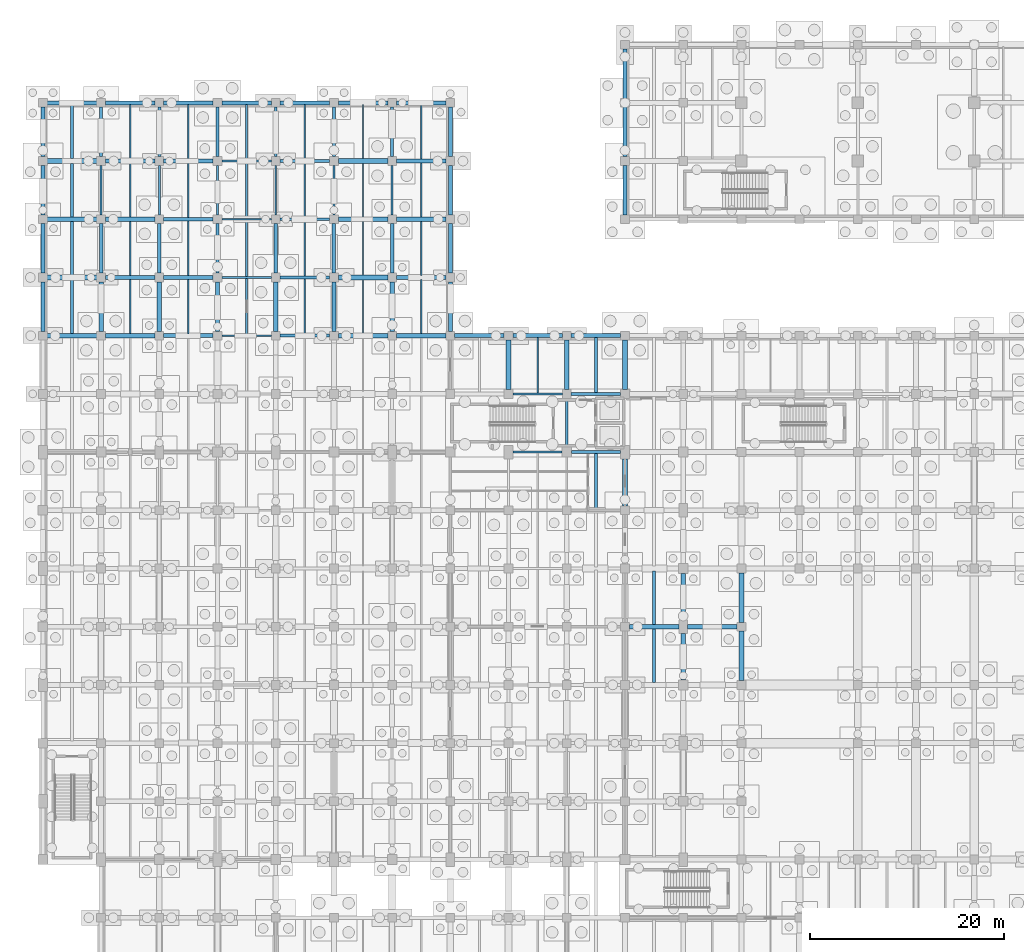
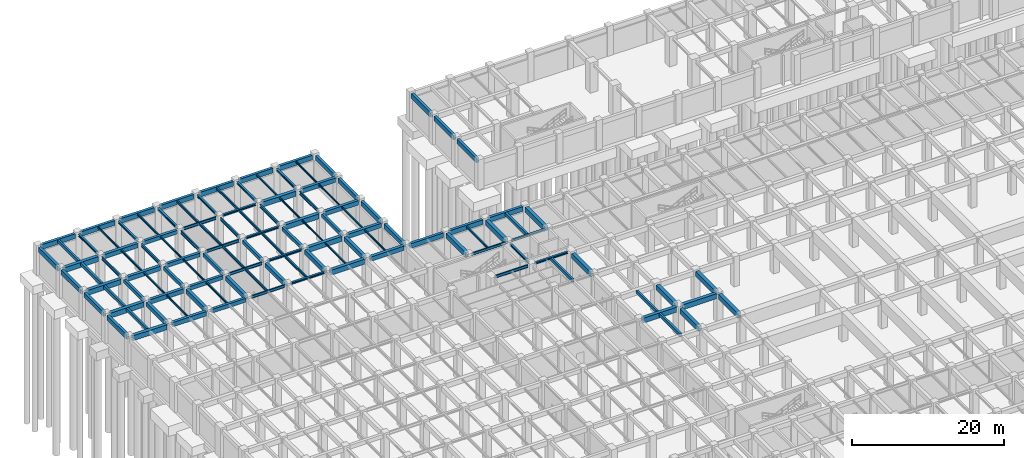
# One storey, part 31 of 54: 121 beams.
"""IFC4 building model written with IfcOpenShell, lengths in metres."""

from ifc_helpers import new_model, si_unit, direction, frame, origin, origin_2d, place, context, subcontext, project, spatial, rectangle, i_section, extrude, material, material_profile, profile_set, type_object, element, save


model = new_model("IFC4")

# Units and contexts
model_context = context("Model", 3, precision=1e-05, world=origin(), true_north=direction((0.0, 1.0)))
body_context = subcontext(model_context, "Body", "Model", "MODEL_VIEW")
ifc_project = project(units=[si_unit("LENGTHUNIT", "METRE"), si_unit("AREAUNIT", "SQUARE_METRE"), si_unit("VOLUMEUNIT", "CUBIC_METRE"), si_unit("PLANEANGLEUNIT", "RADIAN"), si_unit("MASSUNIT", "GRAM", prefix="KILO"), si_unit("THERMODYNAMICTEMPERATUREUNIT", "KELVIN"), si_unit("POWERUNIT", "WATT")], contexts=[model_context])

# Site, building, storey
site_placement = place(None, origin())
site = spatial("IfcSite", under=ifc_project, at=site_placement, CompositionType="ELEMENT")
building_placement = place(site_placement, origin())
building = spatial("IfcBuilding", under=site, at=building_placement, Name="Phaisarnlok Congress Hotel", CompositionType="ELEMENT")
storey_placement = place(building_placement, frame((0.0, 0.0, -4.800048828125)))
storey = spatial("IfcBuildingStorey", under=building, at=storey_placement, Name="B01", CompositionType="ELEMENT", Elevation=-4.800048828125)

# Beams
ifc_material_1 = material(Name="Concrete C40/50", Category="concrete")
ifc_material_profile_1 = material_profile(ifc_material_1, rectangle(XDim=0.35009765625, YDim=0.550048828125, at=origin_2d()), Name="RC 350x550")
ifc_profile_set_1 = profile_set([ifc_material_profile_1], Name="Concrete C40/50")
beam_type_1 = type_object("IfcBeamType", Name="BM-RC-350x550", PredefinedType="BEAM", material=ifc_profile_set_1)
for number, where, z_axis, x_axis, name in (
    (1, (6.0, 102.445068359375, 4.22509765625), (0.0, 1.0, 0.0), (-1.0, 0.0, 0.0), "Beam B-01"),
    (2, (12.0, 102.445068359375, 4.22509765625), (0.0, 1.0, 0.0), (-1.0, 0.0, 0.0), "Beam B-01"),
    (3, (18.0, 102.445068359375, 4.22509765625), (0.0, 1.0, 0.0), (-1.0, 0.0, 0.0), "Beam B-01"),
    (4, (24.0, 102.445068359375, 4.22509765625), (0.0, 1.0, 0.0), (-1.0, 0.0, 0.0), "Beam B-01"),
    (5, (30.0, 102.445068359375, 4.22509765625), (0.0, 1.0, 0.0), (-1.0, 0.0, 0.0), "Beam B-01"),
    (6, (36.0, 102.445068359375, 4.22509765625), (0.0, 1.0, 0.0), (-1.0, 0.0, 0.0), "Beam B-01"),
):
    element("IfcBeam", number, at=place(storey_placement, frame(where, z_axis=z_axis, x_axis=x_axis)), inside=storey, type_object=beam_type_1, Name=name, PredefinedType="BEAM", context=body_context, shape_type="SweptSolid", body=[
        extrude(rectangle(XDim=0.35009765625, YDim=0.550048828125, at=origin_2d()), origin(), (0.0, 0.0, 1.0), 5.10986328125),
    ])
ifc_material_profile_2 = material_profile(ifc_material_1, rectangle(XDim=0.39990234375, YDim=0.60009765625, at=origin_2d()), Name="RC 400x600")
ifc_profile_set_2 = profile_set([ifc_material_profile_2], Name="Concrete C40/50")
beam_type_2 = type_object("IfcBeamType", Name="BM-RC-400x600", PredefinedType="BEAM", material=ifc_profile_set_2)
for number, where, z_axis, x_axis, name in (
    (7, (12.445068359375, 96.0, 4.199951171875), (1.0, 0.0, 0.0), (0.0, 1.0, 0.0), "Beam B-02"),
    (8, (12.445068359375, 102.0, 4.199951171875), (1.0, 0.0, 0.0), (0.0, 1.0, 0.0), "Beam B-02"),
    (9, (12.445068359375, 108.0, 4.199951171875), (1.0, 0.0, 0.0), (0.0, 1.0, 0.0), "Beam B-02"),
    (10, (12.445068359375, 114.0, 4.199951171875), (1.0, 0.0, 0.0), (0.0, 1.0, 0.0), "Beam B-02"),
):
    element("IfcBeam", number, at=place(storey_placement, frame(where, z_axis=z_axis, x_axis=x_axis)), inside=storey, type_object=beam_type_2, Name=name, PredefinedType="BEAM", context=body_context, shape_type="SweptSolid", body=[
        extrude(rectangle(XDim=0.39990234375, YDim=0.60009765625, at=origin_2d()), origin(), (0.0, 0.0, 1.0), 5.10986328125),
    ])
ifc_material_profile_3 = material_profile(ifc_material_1, rectangle(XDim=0.449951171875, YDim=0.699951171875, at=origin_2d()), Name="RC 450x700")
ifc_profile_set_3 = profile_set([ifc_material_profile_3], Name="Concrete C40/50")
beam_type_3 = type_object("IfcBeamType", Name="BM-RC-450x700", PredefinedType="BEAM", material=ifc_profile_set_3)
for number, where, z_axis, x_axis, name in (
    (11, (6.445068359375, 96.0, 4.150146484375), (1.0, 0.0, 0.0), (0.0, 1.0, 0.0), "Beam B-03"),
    (12, (6.0, 96.445068359375, 4.150146484375), (0.0, 1.0, 0.0), (-1.0, 0.0, 0.0), "Beam B-03"),
    (13, (6.445068359375, 102.0, 4.150146484375), (1.0, 0.0, 0.0), (0.0, 1.0, 0.0), "Beam B-03"),
    (14, (6.445068359375, 108.0, 4.150146484375), (1.0, 0.0, 0.0), (0.0, 1.0, 0.0), "Beam B-03"),
    (15, (6.445068359375, 114.0, 4.150146484375), (1.0, 0.0, 0.0), (0.0, 1.0, 0.0), "Beam B-03"),
    (16, (12.0, 96.445068359375, 4.150146484375), (0.0, 1.0, 0.0), (-1.0, 0.0, 0.0), "Beam B-03"),
    (17, (18.0, 96.445068359375, 4.150146484375), (0.0, 1.0, 0.0), (-1.0, 0.0, 0.0), "Beam B-03"),
    (18, (24.0, 96.445068359375, 4.150146484375), (0.0, 1.0, 0.0), (-1.0, 0.0, 0.0), "Beam B-03"),
    (19, (30.0, 96.445068359375, 4.150146484375), (0.0, 1.0, 0.0), (-1.0, 0.0, 0.0), "Beam B-03"),
    (20, (36.445068359375, 96.0, 4.150146484375), (1.0, 0.0, 0.0), (0.0, 1.0, 0.0), "Beam B-03"),
    (21, (36.0, 96.445068359375, 4.150146484375), (0.0, 1.0, 0.0), (-1.0, 0.0, 0.0), "Beam B-03"),
    (22, (36.445068359375, 102.0, 4.150146484375), (1.0, 0.0, 0.0), (0.0, 1.0, 0.0), "Beam B-03"),
    (23, (36.445068359375, 108.0, 4.150146484375), (1.0, 0.0, 0.0), (0.0, 1.0, 0.0), "Beam B-03"),
    (24, (36.445068359375, 114.0, 4.150146484375), (1.0, 0.0, 0.0), (0.0, 1.0, 0.0), "Beam B-03"),
):
    element("IfcBeam", number, at=place(storey_placement, frame(where, z_axis=z_axis, x_axis=x_axis)), inside=storey, type_object=beam_type_3, Name=name, PredefinedType="BEAM", context=body_context, shape_type="SweptSolid", body=[
        extrude(rectangle(XDim=0.449951171875, YDim=0.699951171875, at=origin_2d()), origin(), (0.0, 0.0, 1.0), 5.10986328125),
    ])
ifc_material_profile_4 = material_profile(ifc_material_1, rectangle(XDim=0.5, YDim=0.800048828125, at=origin_2d()), Name="RC 500x800")
ifc_profile_set_4 = profile_set([ifc_material_profile_4], Name="Concrete C40/50")
beam_type_4 = type_object("IfcBeamType", Name="BM-RC-500x800", PredefinedType="BEAM", material=ifc_profile_set_4)
for number, where, z_axis, x_axis, name in (
    (25, (0.445068359375, 96.0, 4.10009765625), (1.0, 0.0, 0.0), (0.0, 1.0, 0.0), "Beam B-04"),
    (26, (0.445068359375, 102.0, 4.10009765625), (1.0, 0.0, 0.0), (0.0, 1.0, 0.0), "Beam B-04"),
    (27, (0.445068359375, 108.0, 4.10009765625), (1.0, 0.0, 0.0), (0.0, 1.0, 0.0), "Beam B-04"),
    (28, (0.445068359375, 114.0, 4.10009765625), (1.0, 0.0, 0.0), (0.0, 1.0, 0.0), "Beam B-04"),
    (29, (30.445068359375, 96.0, 4.10009765625), (1.0, 0.0, 0.0), (0.0, 1.0, 0.0), "Beam B-04"),
    (30, (30.445068359375, 102.0, 4.10009765625), (1.0, 0.0, 0.0), (0.0, 1.0, 0.0), "Beam B-04"),
    (31, (30.445068359375, 108.0, 4.10009765625), (1.0, 0.0, 0.0), (0.0, 1.0, 0.0), "Beam B-04"),
    (32, (30.445068359375, 114.0, 4.10009765625), (1.0, 0.0, 0.0), (0.0, 1.0, 0.0), "Beam B-04"),
    (33, (48.0, 90.445068359375, 4.10009765625), (0.0, 1.0, 0.0), (-1.0, 0.0, 0.0), "Beam B-04"),
    (34, (54.0, 90.445068359375, 4.10009765625), (0.0, 1.0, 0.0), (-1.0, 0.0, 0.0), "Beam B-04"),
    (35, (60.445068359375, 66.0, 4.10009765625), (1.0, 0.0, 0.0), (0.0, 1.0, 0.0), "Beam B-04"),
):
    element("IfcBeam", number, at=place(storey_placement, frame(where, z_axis=z_axis, x_axis=x_axis)), inside=storey, type_object=beam_type_4, Name=name, PredefinedType="BEAM", context=body_context, shape_type="SweptSolid", body=[
        extrude(rectangle(XDim=0.5, YDim=0.800048828125, at=origin_2d()), origin(), (0.0, 0.0, 1.0), 5.10986328125),
    ])
beam_1_placement = place(storey_placement, frame((60.0, 78.445068359375, 4.10009765625), z_axis=(0.0, 1.0, 0.0), x_axis=(-1.0, 0.0, 0.0)))
element("IfcBeam", 36, at=beam_1_placement, inside=storey, type_object=beam_type_4, Name="Beam B-04", PredefinedType="BEAM", context=body_context, shape_type="SweptSolid", body=[
    extrude(rectangle(XDim=0.5, YDim=0.800048828125, at=origin_2d()), origin(), (0.0, 0.0, 1.0), 4.85986328125),
])
beam_2_placement = place(storey_placement, frame((60.0, 90.445068359375, 4.10009765625), z_axis=(0.0, 1.0, 0.0), x_axis=(-1.0, 0.0, 0.0)))
element("IfcBeam", 37, at=beam_2_placement, inside=storey, type_object=beam_type_4, Name="Beam B-04", PredefinedType="BEAM", context=body_context, shape_type="SweptSolid", body=[
    extrude(rectangle(XDim=0.5, YDim=0.800048828125, at=origin_2d()), origin(), (0.0, 0.0, 1.0), 5.10986328125),
])
beam_3_placement = place(storey_placement, frame((66.0, 60.4951171875, 4.10009765625), z_axis=(0.0, 1.0, 0.0), x_axis=(-1.0, 0.0, 0.0)))
element("IfcBeam", 38, at=beam_3_placement, inside=storey, type_object=beam_type_4, Name="Beam B-04", PredefinedType="BEAM", context=body_context, shape_type="SweptSolid", body=[
    extrude(rectangle(XDim=0.5, YDim=0.800048828125, at=origin_2d()), origin(), (0.0, 0.0, 1.0), 4.809814453125),
])
beam_4_placement = place(storey_placement, frame((66.445068359375, 66.0, 4.150146484375), z_axis=(1.0, 0.0, 0.0), x_axis=(0.0, 1.0, 0.0)))
element("IfcBeam", 39, at=beam_4_placement, inside=storey, type_object=beam_type_4, Name="Beam B-04", PredefinedType="BEAM", context=body_context, shape_type="SweptSolid", body=[
    extrude(rectangle(XDim=0.5, YDim=0.800048828125, at=origin_2d()), origin(), (0.0, 0.0, 1.0), 5.10986328125),
])
beam_5_placement = place(storey_placement, frame((66.0, 66.695068359375, 4.10009765625), z_axis=(0.0, 1.0, 0.0), x_axis=(-1.0, 0.0, 0.0)))
element("IfcBeam", 40, at=beam_5_placement, inside=storey, type_object=beam_type_4, Name="Beam B-04", PredefinedType="BEAM", context=body_context, shape_type="SweptSolid", body=[
    extrude(rectangle(XDim=0.5, YDim=0.800048828125, at=origin_2d()), origin(), (0.0, 0.0, 1.0), 4.809814453125),
])
for number, where, z_axis, x_axis, name in (
    (41, (72.0, 60.445068359375, 4.150146484375), (0.0, 1.0, 0.0), (-1.0, 0.0, 0.0), "Beam B-04"),
    (42, (72.0, 66.445068359375, 4.150146484375), (0.0, 1.0, 0.0), (-1.0, 0.0, 0.0), "Beam B-04"),
):
    element("IfcBeam", number, at=place(storey_placement, frame(where, z_axis=z_axis, x_axis=x_axis)), inside=storey, type_object=beam_type_4, Name=name, PredefinedType="BEAM", context=body_context, shape_type="SweptSolid", body=[
        extrude(rectangle(XDim=0.5, YDim=0.800048828125, at=origin_2d()), origin(), (0.0, 0.0, 1.0), 5.10986328125),
    ])
ifc_material_2 = material(Name="Steel S355", Category="steel")
ifc_material_profile_5 = material_profile(ifc_material_2, i_section(OverallWidth=0.300048828125, OverallDepth=0.2900390625, WebThickness=0.008544921875, FlangeThickness=0.013916015625, FilletRadius=0.027099609375, at=origin_2d()), Name="HEA 300")
ifc_profile_set_5 = profile_set([ifc_material_profile_5], Name="Steel S355")
beam_type_5 = type_object("IfcBeamType", Name="BM-STL-HEA300", PredefinedType="BEAM", material=ifc_profile_set_5)
for number, where, z_axis, x_axis, name in (
    (43, (24.445068359375, 96.0, 4.35498046875), (1.0, 0.0, 0.0), (0.0, 1.0, 0.0), "Beam SB-05"),
    (44, (24.445068359375, 102.0, 4.35498046875), (1.0, 0.0, 0.0), (0.0, 1.0, 0.0), "Beam SB-05"),
    (45, (24.445068359375, 108.0, 4.35498046875), (1.0, 0.0, 0.0), (0.0, 1.0, 0.0), "Beam SB-05"),
    (46, (24.445068359375, 114.0, 4.35498046875), (1.0, 0.0, 0.0), (0.0, 1.0, 0.0), "Beam SB-05"),
):
    element("IfcBeam", number, at=place(storey_placement, frame(where, z_axis=z_axis, x_axis=x_axis)), inside=storey, type_object=beam_type_5, Name=name, PredefinedType="BEAM", context=body_context, shape_type="SweptSolid", body=[
        extrude(i_section(OverallWidth=0.300048828125, OverallDepth=0.2900390625, WebThickness=0.008544921875, FlangeThickness=0.013916015625, FilletRadius=0.027099609375, at=origin_2d()), origin(), (0.0, 0.0, 1.0), 5.10986328125),
    ])
beam_6_placement = place(storey_placement, frame((54.4951171875, 84.0, 4.35498046875), z_axis=(1.0, 0.0, 0.0), x_axis=(0.0, 1.0, 0.0)))
element("IfcBeam", 47, at=beam_6_placement, inside=storey, type_object=beam_type_5, Name="Beam SB-05", PredefinedType="BEAM", context=body_context, shape_type="SweptSolid", body=[
    extrude(i_section(OverallWidth=0.300048828125, OverallDepth=0.2900390625, WebThickness=0.008544921875, FlangeThickness=0.013916015625, FilletRadius=0.027099609375, at=origin_2d()), origin(), (0.0, 0.0, 1.0), 5.059814453125),
])
beam_7_placement = place(storey_placement, frame((54.445068359375, 90.0, 4.35498046875), z_axis=(1.0, 0.0, 0.0), x_axis=(0.0, 1.0, 0.0)))
element("IfcBeam", 48, at=beam_7_placement, inside=storey, type_object=beam_type_5, Name="Beam SB-05", PredefinedType="BEAM", context=body_context, shape_type="SweptSolid", body=[
    extrude(i_section(OverallWidth=0.300048828125, OverallDepth=0.2900390625, WebThickness=0.008544921875, FlangeThickness=0.013916015625, FilletRadius=0.027099609375, at=origin_2d()), origin(), (0.0, 0.0, 1.0), 5.10986328125),
])
ifc_material_profile_6 = material_profile(ifc_material_2, i_section(OverallWidth=0.300048828125, OverallDepth=0.340087890625, WebThickness=0.011962890625, FlangeThickness=0.021484375, FilletRadius=0.027099609375, at=origin_2d()), Name="HEB 340")
ifc_profile_set_6 = profile_set([ifc_material_profile_6], Name="Steel S355")
beam_type_6 = type_object("IfcBeamType", Name="BM-STL-HEB340", PredefinedType="BEAM", material=ifc_profile_set_6)
for number, where, z_axis, x_axis, name in (
    (49, (6.0, 114.445068359375, 4.330078125), (0.0, 1.0, 0.0), (-1.0, 0.0, 0.0), "Beam SB-07"),
    (50, (12.0, 114.445068359375, 4.330078125), (0.0, 1.0, 0.0), (-1.0, 0.0, 0.0), "Beam SB-07"),
    (51, (18.0, 114.445068359375, 4.330078125), (0.0, 1.0, 0.0), (-1.0, 0.0, 0.0), "Beam SB-07"),
    (52, (24.0, 114.445068359375, 4.330078125), (0.0, 1.0, 0.0), (-1.0, 0.0, 0.0), "Beam SB-07"),
    (53, (30.0, 114.445068359375, 4.330078125), (0.0, 1.0, 0.0), (-1.0, 0.0, 0.0), "Beam SB-07"),
    (54, (36.0, 114.445068359375, 4.330078125), (0.0, 1.0, 0.0), (-1.0, 0.0, 0.0), "Beam SB-07"),
):
    element("IfcBeam", number, at=place(storey_placement, frame(where, z_axis=z_axis, x_axis=x_axis)), inside=storey, type_object=beam_type_6, Name=name, PredefinedType="BEAM", context=body_context, shape_type="SweptSolid", body=[
        extrude(i_section(OverallWidth=0.300048828125, OverallDepth=0.340087890625, WebThickness=0.011962890625, FlangeThickness=0.021484375, FilletRadius=0.027099609375, at=origin_2d()), origin(), (0.0, 0.0, 1.0), 5.10986328125),
    ])
beam_8_placement = place(storey_placement, frame((54.0, 84.4951171875, 4.330078125), z_axis=(0.0, 1.0, 0.0), x_axis=(-1.0, 0.0, 0.0)))
element("IfcBeam", 55, at=beam_8_placement, inside=storey, type_object=beam_type_6, Name="Beam SB-07", PredefinedType="BEAM", context=body_context, shape_type="SweptSolid", body=[
    extrude(i_section(OverallWidth=0.300048828125, OverallDepth=0.340087890625, WebThickness=0.011962890625, FlangeThickness=0.021484375, FilletRadius=0.027099609375, at=origin_2d()), origin(), (0.0, 0.0, 1.0), 5.059814453125),
])
ifc_material_profile_7 = material_profile(ifc_material_2, i_section(OverallWidth=0.18994140625, OverallDepth=0.449951171875, WebThickness=0.009521484375, FlangeThickness=0.0146484375, FilletRadius=0.02099609375, at=origin_2d()), Name="IPE 450")
ifc_profile_set_7 = profile_set([ifc_material_profile_7], Name="Steel S355")
beam_type_7 = type_object("IfcBeamType", Name="BM-STL-IPE450", PredefinedType="BEAM", material=ifc_profile_set_7)
for number, where, z_axis, x_axis, name in (
    (56, (18.445068359375, 96.0, 4.275146484375), (1.0, 0.0, 0.0), (0.0, 1.0, 0.0), "Beam SB-01"),
    (57, (18.445068359375, 102.0, 4.275146484375), (1.0, 0.0, 0.0), (0.0, 1.0, 0.0), "Beam SB-01"),
    (58, (18.445068359375, 108.0, 4.275146484375), (1.0, 0.0, 0.0), (0.0, 1.0, 0.0), "Beam SB-01"),
    (59, (18.445068359375, 114.0, 4.275146484375), (1.0, 0.0, 0.0), (0.0, 1.0, 0.0), "Beam SB-01"),
):
    element("IfcBeam", number, at=place(storey_placement, frame(where, z_axis=z_axis, x_axis=x_axis)), inside=storey, type_object=beam_type_7, Name=name, PredefinedType="BEAM", context=body_context, shape_type="SweptSolid", body=[
        extrude(i_section(OverallWidth=0.18994140625, OverallDepth=0.449951171875, WebThickness=0.009521484375, FlangeThickness=0.0146484375, FilletRadius=0.02099609375, at=origin_2d()), origin(), (0.0, 0.0, 1.0), 5.10986328125),
    ])
beam_9_placement = place(storey_placement, frame((48.445068359375, 84.0, 4.275146484375), z_axis=(1.0, 0.0, 0.0), x_axis=(0.0, 1.0, 0.0)))
element("IfcBeam", 60, at=beam_9_placement, inside=storey, type_object=beam_type_7, Name="Beam SB-01", PredefinedType="BEAM", context=body_context, shape_type="SweptSolid", body=[
    extrude(i_section(OverallWidth=0.18994140625, OverallDepth=0.449951171875, WebThickness=0.009521484375, FlangeThickness=0.0146484375, FilletRadius=0.02099609375, at=origin_2d()), origin(), (0.0, 0.0, 1.0), 5.059814453125),
])
beam_10_placement = place(storey_placement, frame((48.445068359375, 90.0, 4.275146484375), z_axis=(1.0, 0.0, 0.0), x_axis=(0.0, 1.0, 0.0)))
element("IfcBeam", 61, at=beam_10_placement, inside=storey, type_object=beam_type_7, Name="Beam SB-01", PredefinedType="BEAM", context=body_context, shape_type="SweptSolid", body=[
    extrude(i_section(OverallWidth=0.18994140625, OverallDepth=0.449951171875, WebThickness=0.009521484375, FlangeThickness=0.0146484375, FilletRadius=0.02099609375, at=origin_2d()), origin(), (0.0, 0.0, 1.0), 5.10986328125),
])
ifc_material_profile_8 = material_profile(ifc_material_2, i_section(OverallWidth=0.199951171875, OverallDepth=0.5, WebThickness=0.01025390625, FlangeThickness=0.01611328125, FilletRadius=0.02099609375, at=origin_2d()), Name="IPE 500")
ifc_profile_set_8 = profile_set([ifc_material_profile_8], Name="Steel S355")
beam_type_8 = type_object("IfcBeamType", Name="BM-STL-IPE500", PredefinedType="BEAM", material=ifc_profile_set_8)
for number, where, z_axis, x_axis, name in (
    (62, (6.0, 108.445068359375, 4.25), (0.0, 1.0, 0.0), (-1.0, 0.0, 0.0), "Beam SB-02"),
    (63, (12.0, 108.445068359375, 4.25), (0.0, 1.0, 0.0), (-1.0, 0.0, 0.0), "Beam SB-02"),
    (64, (18.0, 108.445068359375, 4.25), (0.0, 1.0, 0.0), (-1.0, 0.0, 0.0), "Beam SB-02"),
    (65, (24.0, 108.445068359375, 4.25), (0.0, 1.0, 0.0), (-1.0, 0.0, 0.0), "Beam SB-02"),
    (66, (30.0, 108.445068359375, 4.25), (0.0, 1.0, 0.0), (-1.0, 0.0, 0.0), "Beam SB-02"),
    (67, (36.0, 108.445068359375, 4.25), (0.0, 1.0, 0.0), (-1.0, 0.0, 0.0), "Beam SB-02"),
):
    element("IfcBeam", number, at=place(storey_placement, frame(where, z_axis=z_axis, x_axis=x_axis)), inside=storey, type_object=beam_type_8, Name=name, PredefinedType="BEAM", context=body_context, shape_type="SweptSolid", body=[
        extrude(i_section(OverallWidth=0.199951171875, OverallDepth=0.5, WebThickness=0.01025390625, FlangeThickness=0.01611328125, FilletRadius=0.02099609375, at=origin_2d()), origin(), (0.0, 0.0, 1.0), 5.10986328125),
    ])
ifc_material_profile_9 = material_profile(ifc_material_1, rectangle(XDim=0.300048828125, YDim=0.5, at=origin_2d()), Name="RC 300x500")
ifc_profile_set_9 = profile_set([ifc_material_profile_9], Name="Concrete C40/50")
beam_type_9 = type_object("IfcBeamType", Name="JS-RC-300x500", PredefinedType="JOIST", material=ifc_profile_set_9)
for number, where, z_axis, x_axis, name in (
    (68, (3.0, 96.2451171875, 4.25), (0.0, 1.0, 0.0), (-1.0, 0.0, 0.0), "Secondary floor joist J-01"),
    (69, (3.0, 102.2451171875, 4.25), (0.0, 1.0, 0.0), (-1.0, 0.0, 0.0), "Secondary floor joist J-01"),
    (70, (3.0, 108.2451171875, 4.25), (0.0, 1.0, 0.0), (-1.0, 0.0, 0.0), "Secondary floor joist J-01"),
):
    element("IfcBeam", number, at=place(storey_placement, frame(where, z_axis=z_axis, x_axis=x_axis)), inside=storey, type_object=beam_type_9, Name=name, PredefinedType="JOIST", context=body_context, shape_type="SweptSolid", body=[
        extrude(rectangle(XDim=0.300048828125, YDim=0.5, at=origin_2d()), origin(), (0.0, 0.0, 1.0), 5.509765625),
    ])
beam_11_placement = place(storey_placement, frame((3.0, 114.2451171875, 4.25), z_axis=(0.0, 1.0, 0.0), x_axis=(-1.0, 0.0, 0.0)))
element("IfcBeam", 71, at=beam_11_placement, inside=storey, type_object=beam_type_9, Name="Secondary floor joist J-01", PredefinedType="JOIST", context=body_context, shape_type="SweptSolid", body=[
    extrude(rectangle(XDim=0.300048828125, YDim=0.5, at=origin_2d()), origin(), (0.0, 0.0, 1.0), 5.559814453125),
])
beam_12_placement = place(storey_placement, frame((57.0, 78.14501953125, 4.25), z_axis=(0.0, 1.0, 0.0), x_axis=(-1.0, 0.0, 0.0)))
element("IfcBeam", 72, at=beam_12_placement, inside=storey, type_object=beam_type_9, Name="Secondary floor joist J-01", PredefinedType="JOIST", context=body_context, shape_type="SweptSolid", body=[
    extrude(rectangle(XDim=0.300048828125, YDim=0.5, at=origin_2d()), origin(), (0.0, 0.0, 1.0), 5.7099609375),
])
beam_13_placement = place(storey_placement, frame((57.0, 90.14501953125, 4.25), z_axis=(0.0, 1.0, 0.0), x_axis=(-1.0, 0.0, 0.0)))
element("IfcBeam", 73, at=beam_13_placement, inside=storey, type_object=beam_type_9, Name="Secondary floor joist J-01", PredefinedType="JOIST", context=body_context, shape_type="SweptSolid", body=[
    extrude(rectangle(XDim=0.300048828125, YDim=0.5, at=origin_2d()), origin(), (0.0, 0.0, 1.0), 5.659912109375),
])
for number, where, z_axis, x_axis, name in (
    (74, (63.0, 60.2451171875, 4.25), (0.0, 1.0, 0.0), (-1.0, 0.0, 0.0), "Secondary floor joist J-01"),
    (75, (63.0, 66.2451171875, 4.25), (0.0, 1.0, 0.0), (-1.0, 0.0, 0.0), "Secondary floor joist J-01"),
):
    element("IfcBeam", number, at=place(storey_placement, frame(where, z_axis=z_axis, x_axis=x_axis)), inside=storey, type_object=beam_type_9, Name=name, PredefinedType="JOIST", context=body_context, shape_type="SweptSolid", body=[
        extrude(rectangle(XDim=0.300048828125, YDim=0.5, at=origin_2d()), origin(), (0.0, 0.0, 1.0), 5.509765625),
    ])
ifc_material_profile_10 = material_profile(ifc_material_2, i_section(OverallWidth=0.135009765625, OverallDepth=0.27001953125, WebThickness=0.006591796875, FlangeThickness=0.01025390625, FilletRadius=0.014892578125, at=origin_2d()), Name="IPE 270")
ifc_profile_set_10 = profile_set([ifc_material_profile_10], Name="Steel S355")
beam_type_10 = type_object("IfcBeamType", Name="JS-STL-IPE270", PredefinedType="JOIST", material=ifc_profile_set_10)
for number, where, z_axis, x_axis, name in (
    (76, (33.0, 96.2451171875, 4.364990234375), (0.0, 1.0, 0.0), (-1.0, 0.0, 0.0), "Secondary floor joist J-02"),
    (77, (33.0, 102.2451171875, 4.364990234375), (0.0, 1.0, 0.0), (-1.0, 0.0, 0.0), "Secondary floor joist J-02"),
    (78, (33.0, 108.2451171875, 4.364990234375), (0.0, 1.0, 0.0), (-1.0, 0.0, 0.0), "Secondary floor joist J-02"),
):
    element("IfcBeam", number, at=place(storey_placement, frame(where, z_axis=z_axis, x_axis=x_axis)), inside=storey, type_object=beam_type_10, Name=name, PredefinedType="JOIST", context=body_context, shape_type="SweptSolid", body=[
        extrude(i_section(OverallWidth=0.135009765625, OverallDepth=0.27001953125, WebThickness=0.006591796875, FlangeThickness=0.01025390625, FilletRadius=0.014892578125, at=origin_2d()), origin(), (0.0, 0.0, 1.0), 5.509765625),
    ])
beam_14_placement = place(storey_placement, frame((33.0, 114.2451171875, 4.364990234375), z_axis=(0.0, 1.0, 0.0), x_axis=(-1.0, 0.0, 0.0)))
element("IfcBeam", 79, at=beam_14_placement, inside=storey, type_object=beam_type_10, Name="Secondary floor joist J-02", PredefinedType="JOIST", context=body_context, shape_type="SweptSolid", body=[
    extrude(i_section(OverallWidth=0.135009765625, OverallDepth=0.27001953125, WebThickness=0.006591796875, FlangeThickness=0.01025390625, FilletRadius=0.014892578125, at=origin_2d()), origin(), (0.0, 0.0, 1.0), 5.559814453125),
])
for number, where, z_axis, x_axis, name in (
    (80, (39.0, 96.219970703125, 4.364990234375), (0.0, 1.0, 0.0), (-1.0, 0.0, 0.0), "Secondary floor joist J-02"),
    (81, (39.0, 102.219970703125, 4.364990234375), (0.0, 1.0, 0.0), (-1.0, 0.0, 0.0), "Secondary floor joist J-02"),
    (82, (39.0, 108.219970703125, 4.364990234375), (0.0, 1.0, 0.0), (-1.0, 0.0, 0.0), "Secondary floor joist J-02"),
):
    element("IfcBeam", number, at=place(storey_placement, frame(where, z_axis=z_axis, x_axis=x_axis)), inside=storey, type_object=beam_type_10, Name=name, PredefinedType="JOIST", context=body_context, shape_type="SweptSolid", body=[
        extrude(i_section(OverallWidth=0.135009765625, OverallDepth=0.27001953125, WebThickness=0.006591796875, FlangeThickness=0.01025390625, FilletRadius=0.014892578125, at=origin_2d()), origin(), (0.0, 0.0, 1.0), 5.56005859375),
    ])
beam_15_placement = place(storey_placement, frame((39.0, 114.219970703125, 4.364990234375), z_axis=(0.0, 1.0, 0.0), x_axis=(-1.0, 0.0, 0.0)))
element("IfcBeam", 83, at=beam_15_placement, inside=storey, type_object=beam_type_10, Name="Secondary floor joist J-02", PredefinedType="JOIST", context=body_context, shape_type="SweptSolid", body=[
    extrude(i_section(OverallWidth=0.135009765625, OverallDepth=0.27001953125, WebThickness=0.006591796875, FlangeThickness=0.01025390625, FilletRadius=0.014892578125, at=origin_2d()), origin(), (0.0, 0.0, 1.0), 5.5849609375),
])
ifc_material_profile_11 = material_profile(ifc_material_2, i_section(OverallWidth=0.14990234375, OverallDepth=0.300048828125, WebThickness=0.007080078125, FlangeThickness=0.0107421875, FilletRadius=0.014892578125, at=origin_2d()), Name="IPE 300")
ifc_profile_set_11 = profile_set([ifc_material_profile_11], Name="Steel S355")
beam_type_11 = type_object("IfcBeamType", Name="JS-STL-IPE300", PredefinedType="JOIST", material=ifc_profile_set_11)
for number, where, z_axis, x_axis, name in (
    (84, (9.0, 96.219970703125, 4.35009765625), (0.0, 1.0, 0.0), (-1.0, 0.0, 0.0), "Secondary floor joist J-03"),
    (85, (9.0, 102.219970703125, 4.35009765625), (0.0, 1.0, 0.0), (-1.0, 0.0, 0.0), "Secondary floor joist J-03"),
    (86, (9.0, 108.219970703125, 4.35009765625), (0.0, 1.0, 0.0), (-1.0, 0.0, 0.0), "Secondary floor joist J-03"),
):
    element("IfcBeam", number, at=place(storey_placement, frame(where, z_axis=z_axis, x_axis=x_axis)), inside=storey, type_object=beam_type_11, Name=name, PredefinedType="JOIST", context=body_context, shape_type="SweptSolid", body=[
        extrude(i_section(OverallWidth=0.14990234375, OverallDepth=0.300048828125, WebThickness=0.007080078125, FlangeThickness=0.0107421875, FilletRadius=0.014892578125, at=origin_2d()), origin(), (0.0, 0.0, 1.0), 5.56005859375),
    ])
beam_16_placement = place(storey_placement, frame((9.0, 114.219970703125, 4.35009765625), z_axis=(0.0, 1.0, 0.0), x_axis=(-1.0, 0.0, 0.0)))
element("IfcBeam", 87, at=beam_16_placement, inside=storey, type_object=beam_type_11, Name="Secondary floor joist J-03", PredefinedType="JOIST", context=body_context, shape_type="SweptSolid", body=[
    extrude(i_section(OverallWidth=0.14990234375, OverallDepth=0.300048828125, WebThickness=0.007080078125, FlangeThickness=0.0107421875, FilletRadius=0.014892578125, at=origin_2d()), origin(), (0.0, 0.0, 1.0), 5.5849609375),
])
for number, where, z_axis, x_axis, name in (
    (88, (15.0, 96.195068359375, 4.35009765625), (0.0, 1.0, 0.0), (-1.0, 0.0, 0.0), "Secondary floor joist J-03"),
    (89, (15.0, 102.195068359375, 4.35009765625), (0.0, 1.0, 0.0), (-1.0, 0.0, 0.0), "Secondary floor joist J-03"),
    (90, (15.0, 108.195068359375, 4.35009765625), (0.0, 1.0, 0.0), (-1.0, 0.0, 0.0), "Secondary floor joist J-03"),
    (91, (15.0, 114.195068359375, 4.35009765625), (0.0, 1.0, 0.0), (-1.0, 0.0, 0.0), "Secondary floor joist J-03"),
):
    element("IfcBeam", number, at=place(storey_placement, frame(where, z_axis=z_axis, x_axis=x_axis)), inside=storey, type_object=beam_type_11, Name=name, PredefinedType="JOIST", context=body_context, shape_type="SweptSolid", body=[
        extrude(i_section(OverallWidth=0.14990234375, OverallDepth=0.300048828125, WebThickness=0.007080078125, FlangeThickness=0.0107421875, FilletRadius=0.014892578125, at=origin_2d()), origin(), (0.0, 0.0, 1.0), 5.60986328125),
    ])
ifc_material_profile_12 = material_profile(ifc_material_2, i_section(OverallWidth=0.169921875, OverallDepth=0.360107421875, WebThickness=0.008056640625, FlangeThickness=0.0126953125, FilletRadius=0.01806640625, at=origin_2d()), Name="IPE 360")
ifc_profile_set_12 = profile_set([ifc_material_profile_12], Name="Steel S355")
beam_type_12 = type_object("IfcBeamType", Name="JS-STL-IPE360", PredefinedType="JOIST", material=ifc_profile_set_12)
beam_17_placement = place(storey_placement, frame((51.0, 90.090087890625, 4.320068359375), z_axis=(0.0, 1.0, 0.0), x_axis=(-1.0, 0.0, 0.0)))
element("IfcBeam", 92, at=beam_17_placement, inside=storey, type_object=beam_type_12, Name="Secondary floor joist J-04", PredefinedType="JOIST", context=body_context, shape_type="SweptSolid", body=[
    extrude(i_section(OverallWidth=0.169921875, OverallDepth=0.360107421875, WebThickness=0.008056640625, FlangeThickness=0.0126953125, FilletRadius=0.01806640625, at=origin_2d()), origin(), (0.0, 0.0, 1.0), 5.71484375),
])
ifc_material_profile_13 = material_profile(ifc_material_2, i_section(OverallWidth=0.179931640625, OverallDepth=0.39990234375, WebThickness=0.008544921875, FlangeThickness=0.013427734375, FilletRadius=0.02099609375, at=origin_2d()), Name="IPE 400")
ifc_profile_set_13 = profile_set([ifc_material_profile_13], Name="Steel S355")
beam_type_13 = type_object("IfcBeamType", Name="JS-STL-IPE400", PredefinedType="JOIST", material=ifc_profile_set_13)
for number, where, z_axis, x_axis, name in (
    (93, (21.0, 96.090087890625, 4.300048828125), (0.0, 1.0, 0.0), (-1.0, 0.0, 0.0), "Secondary floor joist J-05"),
    (94, (21.0, 102.090087890625, 4.300048828125), (0.0, 1.0, 0.0), (-1.0, 0.0, 0.0), "Secondary floor joist J-05"),
    (95, (21.0, 108.090087890625, 4.300048828125), (0.0, 1.0, 0.0), (-1.0, 0.0, 0.0), "Secondary floor joist J-05"),
):
    element("IfcBeam", number, at=place(storey_placement, frame(where, z_axis=z_axis, x_axis=x_axis)), inside=storey, type_object=beam_type_13, Name=name, PredefinedType="JOIST", context=body_context, shape_type="SweptSolid", body=[
        extrude(i_section(OverallWidth=0.179931640625, OverallDepth=0.39990234375, WebThickness=0.008544921875, FlangeThickness=0.013427734375, FilletRadius=0.02099609375, at=origin_2d()), origin(), (0.0, 0.0, 1.0), 5.81982421875),
    ])
beam_18_placement = place(storey_placement, frame((21.0, 114.090087890625, 4.300048828125), z_axis=(0.0, 1.0, 0.0), x_axis=(-1.0, 0.0, 0.0)))
element("IfcBeam", 96, at=beam_18_placement, inside=storey, type_object=beam_type_13, Name="Secondary floor joist J-05", PredefinedType="JOIST", context=body_context, shape_type="SweptSolid", body=[
    extrude(i_section(OverallWidth=0.179931640625, OverallDepth=0.39990234375, WebThickness=0.008544921875, FlangeThickness=0.013427734375, FilletRadius=0.02099609375, at=origin_2d()), origin(), (0.0, 0.0, 1.0), 5.71484375),
])
for number, where, z_axis, x_axis, name in (
    (97, (27.0, 96.14501953125, 4.300048828125), (0.0, 1.0, 0.0), (-1.0, 0.0, 0.0), "Secondary floor joist J-05"),
    (98, (27.0, 102.14501953125, 4.300048828125), (0.0, 1.0, 0.0), (-1.0, 0.0, 0.0), "Secondary floor joist J-05"),
    (99, (27.0, 108.14501953125, 4.300048828125), (0.0, 1.0, 0.0), (-1.0, 0.0, 0.0), "Secondary floor joist J-05"),
):
    element("IfcBeam", number, at=place(storey_placement, frame(where, z_axis=z_axis, x_axis=x_axis)), inside=storey, type_object=beam_type_13, Name=name, PredefinedType="JOIST", context=body_context, shape_type="SweptSolid", body=[
        extrude(i_section(OverallWidth=0.179931640625, OverallDepth=0.39990234375, WebThickness=0.008544921875, FlangeThickness=0.013427734375, FilletRadius=0.02099609375, at=origin_2d()), origin(), (0.0, 0.0, 1.0), 5.7099609375),
    ])
beam_19_placement = place(storey_placement, frame((27.0, 114.14501953125, 4.300048828125), z_axis=(0.0, 1.0, 0.0), x_axis=(-1.0, 0.0, 0.0)))
element("IfcBeam", 100, at=beam_19_placement, inside=storey, type_object=beam_type_13, Name="Secondary floor joist J-05", PredefinedType="JOIST", context=body_context, shape_type="SweptSolid", body=[
    extrude(i_section(OverallWidth=0.179931640625, OverallDepth=0.39990234375, WebThickness=0.008544921875, FlangeThickness=0.013427734375, FilletRadius=0.02099609375, at=origin_2d()), origin(), (0.0, 0.0, 1.0), 5.659912109375),
])
ifc_material_profile_14 = material_profile(ifc_material_1, rectangle(XDim=0.39990234375, YDim=0.75, at=origin_2d()), Name="RC 400x750")
ifc_profile_set_14 = profile_set([ifc_material_profile_14], Name="Concrete C40/50")
beam_type_14 = type_object("IfcBeamType", Name="SP-RC-400x750", PredefinedType="SPANDREL", material=ifc_profile_set_14)
for number, where, z_axis, x_axis, name in (
    (101, (0.0, 96.445068359375, 4.125), (0.0, 1.0, 0.0), (-1.0, 0.0, 0.0), "Beam SP-02"),
    (102, (0.0, 102.445068359375, 4.125), (0.0, 1.0, 0.0), (-1.0, 0.0, 0.0), "Beam SP-02"),
    (103, (0.0, 108.445068359375, 4.125), (0.0, 1.0, 0.0), (-1.0, 0.0, 0.0), "Beam SP-02"),
    (104, (0.0, 114.445068359375, 4.125), (0.0, 1.0, 0.0), (-1.0, 0.0, 0.0), "Beam SP-02"),
    (105, (0.445068359375, 120.0, 4.125), (1.0, 0.0, 0.0), (0.0, 1.0, 0.0), "Beam SP-02"),
    (106, (6.445068359375, 120.0, 4.125), (1.0, 0.0, 0.0), (0.0, 1.0, 0.0), "Beam SP-02"),
    (107, (12.445068359375, 120.0, 4.125), (1.0, 0.0, 0.0), (0.0, 1.0, 0.0), "Beam SP-02"),
    (108, (18.445068359375, 120.0, 4.125), (1.0, 0.0, 0.0), (0.0, 1.0, 0.0), "Beam SP-02"),
    (109, (24.445068359375, 120.0, 4.125), (1.0, 0.0, 0.0), (0.0, 1.0, 0.0), "Beam SP-02"),
    (110, (30.445068359375, 120.0, 4.125), (1.0, 0.0, 0.0), (0.0, 1.0, 0.0), "Beam SP-02"),
    (111, (36.445068359375, 120.0, 4.125), (1.0, 0.0, 0.0), (0.0, 1.0, 0.0), "Beam SP-02"),
    (112, (42.445068359375, 96.0, 4.125), (1.0, 0.0, 0.0), (0.0, 1.0, 0.0), "Beam SP-02"),
    (113, (42.0, 96.445068359375, 4.125), (0.0, 1.0, 0.0), (-1.0, 0.0, 0.0), "Beam SP-02"),
    (114, (42.0, 102.445068359375, 4.125), (0.0, 1.0, 0.0), (-1.0, 0.0, 0.0), "Beam SP-02"),
    (115, (42.0, 108.445068359375, 4.125), (0.0, 1.0, 0.0), (-1.0, 0.0, 0.0), "Beam SP-02"),
    (116, (42.0, 114.445068359375, 4.125), (0.0, 1.0, 0.0), (-1.0, 0.0, 0.0), "Beam SP-02"),
    (117, (48.445068359375, 96.0, 4.125), (1.0, 0.0, 0.0), (0.0, 1.0, 0.0), "Beam SP-02"),
    (118, (54.445068359375, 96.0, 4.125), (1.0, 0.0, 0.0), (0.0, 1.0, 0.0), "Beam SP-02"),
    (119, (60.0, 108.445068359375, 4.125), (0.0, 1.0, 0.0), (-1.0, 0.0, 0.0), "Beam SP-02"),
    (120, (60.0, 114.445068359375, 4.125), (0.0, 1.0, 0.0), (-1.0, 0.0, 0.0), "Beam SP-02"),
    (121, (60.0, 120.445068359375, 4.125), (0.0, 1.0, 0.0), (-1.0, 0.0, 0.0), "Beam SP-02"),
):
    element("IfcBeam", number, at=place(storey_placement, frame(where, z_axis=z_axis, x_axis=x_axis)), inside=storey, type_object=beam_type_14, Name=name, PredefinedType="SPANDREL", context=body_context, shape_type="SweptSolid", body=[
        extrude(rectangle(XDim=0.39990234375, YDim=0.75, at=origin_2d()), origin(), (0.0, 0.0, 1.0), 5.10986328125),
    ])

save(model, "model.ifc")
